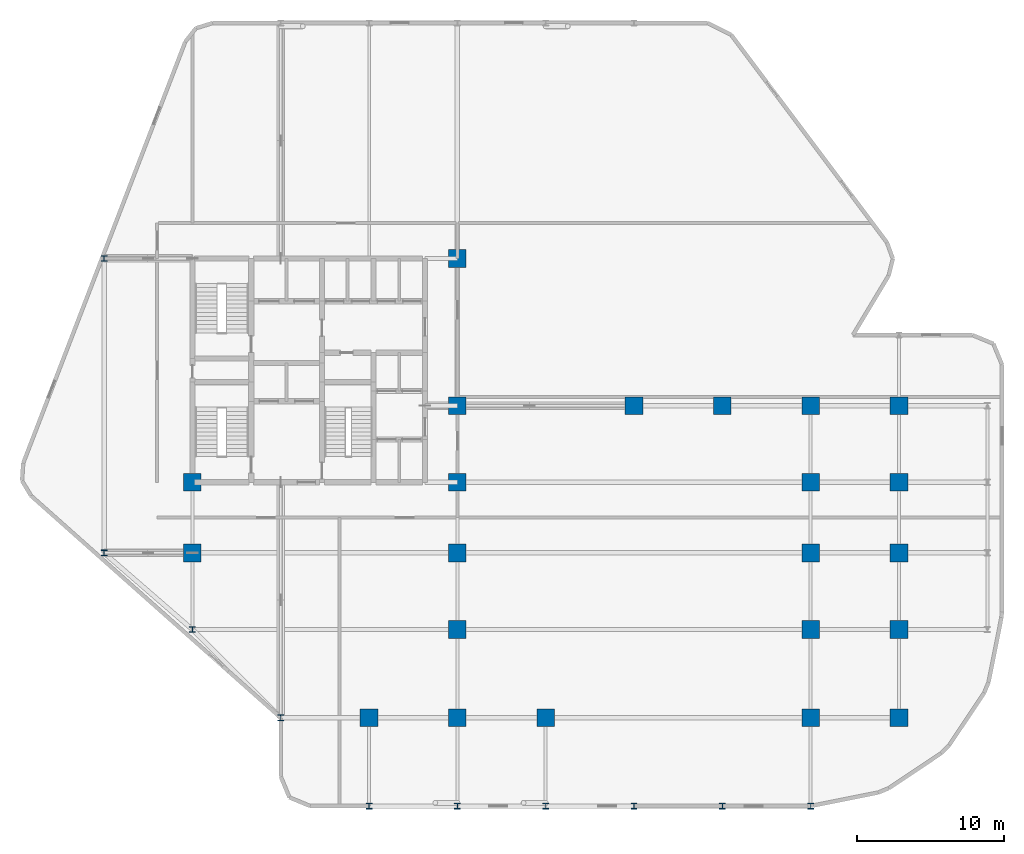
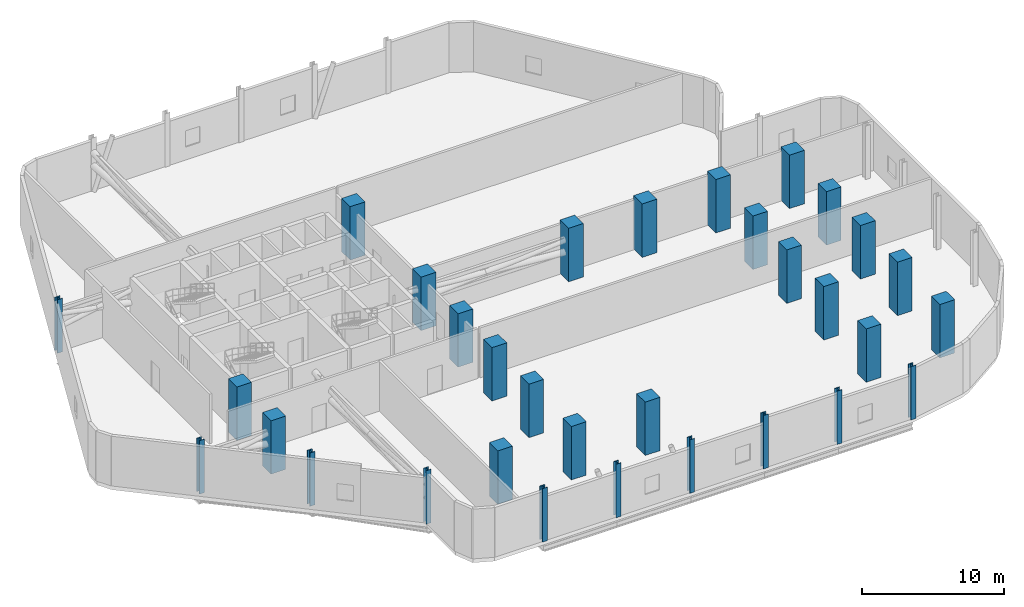
# One storey, part 1 of 9: 32 columns.
"""IFC4 building model written with IfcOpenShell, lengths in metres."""

import ifcopenshell
import ifcopenshell.guid

model = None  # the IFC model being written
_history = None  # IfcOwnerHistory: only IFC2X3 demands one
_inside = {}  # id of a spatial element -> (the spatial element, [elements in it])
_under = {}  # id of a project, library or spatial element -> (it, [spatial elements below it])
_declared = {}  # id of a project -> (the project, [libraries it declares])
_typed = {}  # id of a type object -> (the type object, [elements of that type])
_made_of = {}  # id of a material, layer set ... -> (it, [elements and type objects made of it])


def new_model(schema):
    """Start an empty IFC model of exactly this schema.

    Asked for "IFC4X3", IfcOpenShell would pick the latest addendum, in which some entities
    have other attributes; the version numbers below select the first issue.
    IFC2X3 requires an IfcOwnerHistory on every rooted entity: one is made here for all.
    """
    global model, _history
    if schema == "IFC4X3":
        model = ifcopenshell.file(schema_version=(4, 3, 0, 0))
    else:
        model = ifcopenshell.file(schema=schema)
    _inside.clear()
    _under.clear()
    _declared.clear()
    _typed.clear()
    _made_of.clear()
    _history = None
    if model.schema == "IFC2X3":
        org = make("IfcOrganization", Name="unknown")
        user = make(
            "IfcPersonAndOrganization",
            ThePerson=make("IfcPerson", FamilyName="unknown"),
            TheOrganization=org,
        )
        app = make(
            "IfcApplication",
            ApplicationDeveloper=org,
            Version="unknown",
            ApplicationFullName="unknown",
            ApplicationIdentifier="unknown",
        )
        _history = make(
            "IfcOwnerHistory",
            OwningUser=user,
            OwningApplication=app,
            ChangeAction="ADDED",
            CreationDate=0,
        )
    return model


def make(cls, **values):
    """One entity of the class cls with the attributes given. An attribute that is None is left unset."""
    return model.create_entity(
        cls, **{name: value for name, value in values.items() if value is not None}
    )


def rooted(cls, **values):
    """An entity with a GlobalId (a new one), such as an element, a storey or a relation."""
    return make(cls, GlobalId=ifcopenshell.guid.new(), OwnerHistory=_history, **values)


def si_unit(unit_type, name, prefix=None):
    """IfcSIUnit, for example si_unit("LENGTHUNIT", "METRE", prefix="MILLI")."""
    return make("IfcSIUnit", UnitType=unit_type, Prefix=prefix, Name=name)


def assignment(units):
    """IfcUnitAssignment: the units of a project."""
    return None if units is None else make("IfcUnitAssignment", Units=units)


def point(xyz):
    """IfcCartesianPoint."""
    return None if xyz is None else make("IfcCartesianPoint", Coordinates=xyz)


def direction(xyz):
    """IfcDirection."""
    return None if xyz is None else make("IfcDirection", DirectionRatios=xyz)


def frame(location, z_axis=None, x_axis=None):
    """IfcAxis2Placement3D, a coordinate frame: its origin and axes. An axis left out is left unset."""
    return make(
        "IfcAxis2Placement3D",
        Location=point(location),
        Axis=direction(z_axis),
        RefDirection=direction(x_axis),
    )


def frame_2d(location, x_axis=None):
    """IfcAxis2Placement2D, a coordinate frame in the plane: its origin and x axis."""
    return make(
        "IfcAxis2Placement2D", Location=point(location), RefDirection=direction(x_axis)
    )


def origin():
    """The frame at (0, 0, 0) with its axes left unset."""
    return frame((0.0, 0.0, 0.0))


def origin_2d():
    """The frame at (0, 0) in the plane with its x axis left unset."""
    return frame_2d((0.0, 0.0))


def place(relative_to, where):
    """IfcLocalPlacement: puts the frame where relative to a parent placement (None: the world)."""
    return make(
        "IfcLocalPlacement", PlacementRelTo=relative_to, RelativePlacement=where
    )


def context(
    kind, dimensions, precision=None, world=None, true_north=None, identifier=None
):
    """IfcGeometricRepresentationContext, for example the 3D "Model" context."""
    return make(
        "IfcGeometricRepresentationContext",
        ContextIdentifier=identifier,
        ContextType=kind,
        CoordinateSpaceDimension=dimensions,
        Precision=precision,
        WorldCoordinateSystem=world,
        TrueNorth=true_north,
    )


def subcontext(parent, identifier, kind, view, scale=None):
    """IfcGeometricRepresentationSubContext, for example "Body" below "Model"."""
    return make(
        "IfcGeometricRepresentationSubContext",
        ContextIdentifier=identifier,
        ContextType=kind,
        ParentContext=parent,
        TargetScale=scale,
        TargetView=view,
    )


def project(units=None, contexts=None):
    """IfcProject with its units and contexts."""
    return rooted(
        "IfcProject",
        Name="project",
        RepresentationContexts=contexts,
        UnitsInContext=assignment(units),
    )


def spatial(cls, under=None, at=None, **own):
    """A site, building, storey or space (cls), placed at a placement, below another one or the project."""
    s = rooted(cls, ObjectPlacement=at, **own)
    if under is not None:
        _under.setdefault(under.id(), (under, []))[1].append(s)
    return s


def profile(cls, at=None, kind="AREA", **sizes):
    """A parametric profile (cls). Its sizes go by their IFC names, for example OverallWidth=200.0."""
    return make(cls, ProfileType=kind, Position=at, **sizes)


def rectangle(**sizes):
    """IfcRectangleProfileDef."""
    return profile("IfcRectangleProfileDef", **sizes)


def i_section(**sizes):
    """IfcIShapeProfileDef."""
    return profile("IfcIShapeProfileDef", **sizes)


def extrude(swept, where, along, depth):
    """IfcExtrudedAreaSolid: the profile swept, set in the frame where, extruded along a direction by depth."""
    return make(
        "IfcExtrudedAreaSolid",
        SweptArea=swept,
        Position=where,
        ExtrudedDirection=direction(along),
        Depth=depth,
    )


def shape(context_of_items, identifier, shape_type, items):
    """IfcShapeRepresentation: the items that make up one representation, for example the "Body"."""
    return make(
        "IfcShapeRepresentation",
        ContextOfItems=context_of_items,
        RepresentationIdentifier=identifier,
        RepresentationType=shape_type,
        Items=items,
    )


def material(Name=None, Category=None):
    """IfcMaterial."""
    return make("IfcMaterial", Name=Name, Category=Category)


def material_profile(
    of_material, cross_section, Name=None, Category=None, Priority=None
):
    """IfcMaterialProfile: a cross section and its material."""
    return make(
        "IfcMaterialProfile",
        Name=Name,
        Material=of_material,
        Profile=cross_section,
        Priority=Priority,
        Category=Category,
    )


def profile_set(profiles, Name=None, composite=None):
    """IfcMaterialProfileSet."""
    return make(
        "IfcMaterialProfileSet",
        Name=Name,
        MaterialProfiles=profiles,
        CompositeProfile=composite,
    )


def made_of(thing, what):
    """Note that an element or type object is made of a material, layer set ...; save() writes the relation."""
    if what is not None:
        _made_of.setdefault(what.id(), (what, []))[1].append(thing)
    return thing


def type_object(cls, material=None, **own):
    """A type object (cls), such as IfcWallType, which elements share."""
    return made_of(rooted(cls, **own), material)


def element(
    cls,
    number,
    at=None,
    inside=None,
    cuts=None,
    type_object=None,
    material=None,
    context=None,
    identifier="Body",
    shape_type=None,
    held_by="IfcProductDefinitionShape",
    body=None,
    shapes=None,
    **own,
):
    """One element of the class cls, such as IfcWall. Its Tag is "e" and its number.

    at: its placement. inside: the storey or other place that contains it. cuts: it is an
    opening in that element (IfcRelVoidsElement). A single representation is given by context,
    identifier, shape_type and body (its items); several are given by shapes. held_by: the class
    of the entity that holds the representations. save() writes the other relations.
    """
    e = rooted(cls, Tag="e%d" % number, ObjectPlacement=at, **own)
    if body is not None:
        shapes = [shape(context, identifier, shape_type, body)]
    if shapes is not None:
        e.Representation = make(held_by, Representations=shapes)
    if inside is not None:
        _inside.setdefault(inside.id(), (inside, []))[1].append(e)
    if cuts is not None:
        rooted(
            "IfcRelVoidsElement", RelatingBuildingElement=cuts, RelatedOpeningElement=e
        )
    if type_object is not None:
        _typed.setdefault(type_object.id(), (type_object, []))[1].append(e)
    return made_of(e, material)


def aggregate(whole, parts):
    """IfcRelAggregates: a whole, such as a stair, and the parts it consists of."""
    return rooted("IfcRelAggregates", RelatingObject=whole, RelatedObjects=parts)


def save(model, path):
    """Write the relations noted so far, then the file.

    IfcRelAggregates (storeys below a building ...), IfcRelContainedInSpatialStructure (elements
    in a storey), IfcRelDefinesByType, IfcRelAssociatesMaterial and IfcRelDeclares: one each for
    every whole, place, type object, material and project.
    """
    for whole, parts in _under.values():
        aggregate(whole, parts)
    for where, things in _inside.values():
        rooted(
            "IfcRelContainedInSpatialStructure",
            RelatedElements=things,
            RelatingStructure=where,
        )
    for kind, things in _typed.values():
        rooted("IfcRelDefinesByType", RelatedObjects=things, RelatingType=kind)
    for what, things in _made_of.values():
        rooted("IfcRelAssociatesMaterial", RelatedObjects=things, RelatingMaterial=what)
    for by, libraries in _declared.values():
        rooted("IfcRelDeclares", RelatingContext=by, RelatedDefinitions=libraries)
    model.write(path)


model = new_model("IFC4")

# Units and contexts
model_context = context("Model", 3, precision=1e-05, world=origin(), true_north=direction((0.0, 1.0)))
body_context = subcontext(model_context, "Body", "Model", "MODEL_VIEW")
ifc_project = project(units=[si_unit("LENGTHUNIT", "METRE"), si_unit("AREAUNIT", "SQUARE_METRE"), si_unit("VOLUMEUNIT", "CUBIC_METRE"), si_unit("PLANEANGLEUNIT", "RADIAN"), si_unit("MASSUNIT", "GRAM", prefix="KILO")], contexts=[model_context])

# Site, building, storey
site_placement = place(None, origin())
site = spatial("IfcSite", under=ifc_project, at=site_placement, CompositionType="ELEMENT")
building_placement = place(site_placement, origin())
building = spatial("IfcBuilding", under=site, at=building_placement, Name="Keshet Zoharim Tower", CompositionType="ELEMENT")
storey_placement = place(building_placement, frame((0.0, 0.0, 61.0)))
storey = spatial("IfcBuildingStorey", under=building, at=storey_placement, Name="L14", CompositionType="ELEMENT", Elevation=61.0)

# Columns
ifc_material_1 = material(Name="Steel S355", Category="steel")
ifc_material_profile_1 = material_profile(ifc_material_1, i_section(OverallWidth=0.40087890625, OverallDepth=0.39892578125, WebThickness=0.02490234375, FlangeThickness=0.03955078125, FilletRadius=0.014892578125, at=origin_2d()), Name="HD400x314")
ifc_profile_set_1 = profile_set([ifc_material_profile_1], Name="Steel S355")
column_type_1 = type_object("IfcColumnType", Name="COL-HD314", PredefinedType="COLUMN", material=ifc_profile_set_1)
for number, where, z_axis, x_axis, name in (
    (1, (9.0, 17.89990234375, 0.0), (0.0, 0.0, 1.0), (1.0, 0.0, 0.0), "L14 Column 2D"),
    (2, (9.0, 37.89990234375, 0.0), (0.0, 0.0, 1.0), (1.0, 0.0, 0.0), "L14 Column 2H"),
    (3, (15.0, 12.699951171875, 0.0), (0.0, 0.0, 1.0), (1.0, 0.0, 0.0), "L14 Column 3C"),
    (4, (21.0, 6.699951171875, 0.0), (0.0, 0.0, 1.0), (1.0, 0.0, 0.0), "L14 Column 4B"),
    (5, (27.0, 0.699951171875, 0.0), (0.0, 0.0, 1.0), (1.0, 0.0, 0.0), "L14 Column 5A"),
    (6, (33.0, 0.699951171875, 0.0), (0.0, 0.0, 1.0), (1.0, 0.0, 0.0), "L14 Column 6A"),
    (7, (39.0, 0.699951171875, 0.0), (0.0, 0.0, 1.0), (1.0, 0.0, 0.0), "L14 Column 7A"),
    (8, (45.0, 0.699951171875, 0.0), (0.0, 0.0, 1.0), (1.0, 0.0, 0.0), "L14 Column 8A"),
    (9, (51.0, 0.699951171875, 0.0), (0.0, 0.0, 1.0), (1.0, 0.0, 0.0), "L14 Column 9A"),
    (10, (57.0, 0.699951171875, 0.0), (0.0, 0.0, 1.0), (1.0, 0.0, 0.0), "L14 Column 10A"),
):
    element("IfcColumn", number, at=place(storey_placement, frame(where, z_axis=z_axis, x_axis=x_axis)), inside=storey, type_object=column_type_1, Name=name, PredefinedType="COLUMN", context=body_context, shape_type="SweptSolid", body=[
        extrude(i_section(OverallWidth=0.40087890625, OverallDepth=0.39892578125, WebThickness=0.02490234375, FlangeThickness=0.03955078125, FilletRadius=0.014892578125, at=origin_2d()), origin(), (0.0, 0.0, 1.0), 4.60009765625),
    ])
ifc_material_2 = material(Name="Concrete C60/75", Category="concrete")
ifc_material_profile_2 = material_profile(ifc_material_2, rectangle(XDim=1.199951171875, YDim=1.199951171875, at=origin_2d()), Name="RC1200x1200")
ifc_profile_set_2 = profile_set([ifc_material_profile_2], Name="Concrete C60/75")
column_type_2 = type_object("IfcColumnType", Name="COL-RC1200", PredefinedType="COLUMN", material=ifc_profile_set_2)
for number, where, z_axis, x_axis, name in (
    (11, (15.0, 17.89990234375, 0.0), (0.0, 0.0, 1.0), (1.0, 0.0, 0.0), "L14 Column 3D"),
    (12, (15.0, 22.699951171875, 0.0), (0.0, 0.0, 1.0), (1.0, 0.0, 0.0), "L14 Column 3E"),
    (13, (27.0, 6.699951171875, 0.0), (0.0, 0.0, 1.0), (1.0, 0.0, 0.0), "L14 Column 5B"),
    (14, (33.0, 6.699951171875, 0.0), (0.0, 0.0, 1.0), (1.0, 0.0, 0.0), "L14 Column 6B"),
    (15, (33.0, 12.699951171875, 0.0), (0.0, 0.0, 1.0), (1.0, 0.0, 0.0), "L14 Column 6C"),
    (16, (33.0, 17.89990234375, 0.0), (0.0, 0.0, 1.0), (1.0, 0.0, 0.0), "L14 Column 6D"),
    (17, (33.0, 22.699951171875, 0.0), (0.0, 0.0, 1.0), (1.0, 0.0, 0.0), "L14 Column 6E"),
    (18, (33.0, 27.89990234375, 0.0), (0.0, 0.0, 1.0), (1.0, 0.0, 0.0), "L14 Column 6F"),
    (19, (33.0, 37.89990234375, 0.0), (0.0, 0.0, 1.0), (1.0, 0.0, 0.0), "L14 Column 6H"),
    (20, (39.0, 6.699951171875, 0.0), (0.0, 0.0, 1.0), (1.0, 0.0, 0.0), "L14 Column 7B"),
    (21, (45.0, 27.89990234375, 0.0), (0.0, 0.0, 1.0), (1.0, 0.0, 0.0), "L14 Column 8F"),
    (22, (51.0, 27.89990234375, 0.0), (0.0, 0.0, 1.0), (1.0, 0.0, 0.0), "L14 Column 9F"),
    (23, (57.0, 6.699951171875, 0.0), (0.0, 0.0, 1.0), (1.0, 0.0, 0.0), "L14 Column 10B"),
    (24, (57.0, 12.699951171875, 0.0), (0.0, 0.0, 1.0), (1.0, 0.0, 0.0), "L14 Column 10C"),
    (25, (57.0, 17.89990234375, 0.0), (0.0, 0.0, 1.0), (1.0, 0.0, 0.0), "L14 Column 10D"),
    (26, (57.0, 22.699951171875, 0.0), (0.0, 0.0, 1.0), (1.0, 0.0, 0.0), "L14 Column 10E"),
    (27, (57.0, 27.89990234375, 0.0), (0.0, 0.0, 1.0), (1.0, 0.0, 0.0), "L14 Column 10F"),
    (28, (63.0, 6.699951171875, 0.0), (0.0, 0.0, 1.0), (1.0, 0.0, 0.0), "L14 Column 11B"),
    (29, (63.0, 12.699951171875, 0.0), (0.0, 0.0, 1.0), (1.0, 0.0, 0.0), "L14 Column 11C"),
    (30, (63.0, 17.89990234375, 0.0), (0.0, 0.0, 1.0), (1.0, 0.0, 0.0), "L14 Column 11D"),
    (31, (63.0, 22.699951171875, 0.0), (0.0, 0.0, 1.0), (1.0, 0.0, 0.0), "L14 Column 11E"),
    (32, (63.0, 27.89990234375, 0.0), (0.0, 0.0, 1.0), (1.0, 0.0, 0.0), "L14 Column 11F"),
):
    element("IfcColumn", number, at=place(storey_placement, frame(where, z_axis=z_axis, x_axis=x_axis)), inside=storey, type_object=column_type_2, Name=name, PredefinedType="COLUMN", context=body_context, shape_type="SweptSolid", body=[
        extrude(rectangle(XDim=1.199951171875, YDim=1.199951171875, at=origin_2d()), origin(), (0.0, 0.0, 1.0), 4.60009765625),
    ])

save(model, "model.ifc")
